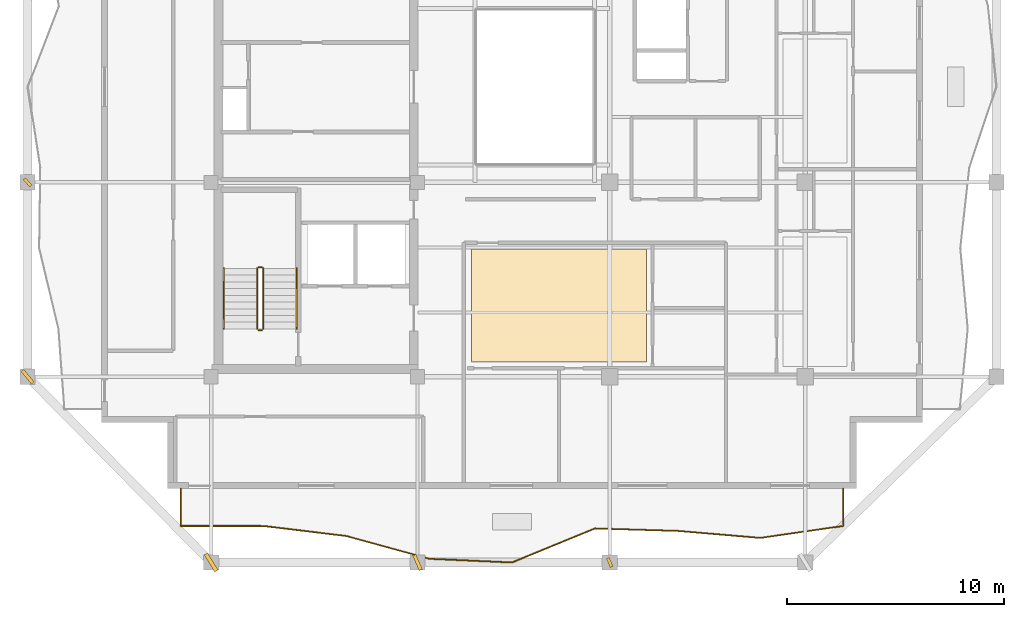
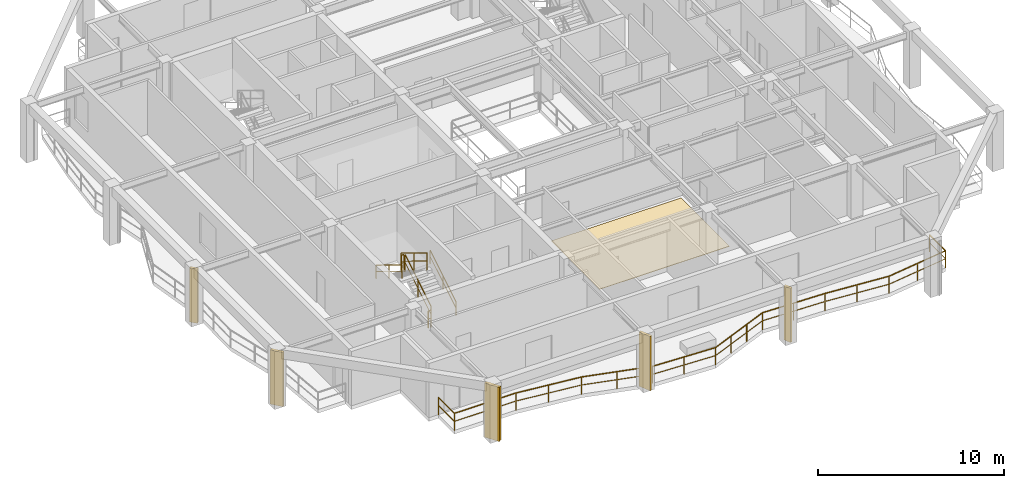
# One storey, part 7 of 10: 7 railings, 5 shading devices, 1 covering.
"""IFC4 building model written with IfcOpenShell, lengths in metres."""

import ifcopenshell
import ifcopenshell.guid

model = None  # the IFC model being written
_history = None  # IfcOwnerHistory: only IFC2X3 demands one
_inside = {}  # id of a spatial element -> (the spatial element, [elements in it])
_under = {}  # id of a project, library or spatial element -> (it, [spatial elements below it])
_declared = {}  # id of a project -> (the project, [libraries it declares])
_typed = {}  # id of a type object -> (the type object, [elements of that type])
_made_of = {}  # id of a material, layer set ... -> (it, [elements and type objects made of it])


def new_model(schema):
    """Start an empty IFC model of exactly this schema.

    Asked for "IFC4X3", IfcOpenShell would pick the latest addendum, in which some entities
    have other attributes; the version numbers below select the first issue.
    IFC2X3 requires an IfcOwnerHistory on every rooted entity: one is made here for all.
    """
    global model, _history
    if schema == "IFC4X3":
        model = ifcopenshell.file(schema_version=(4, 3, 0, 0))
    else:
        model = ifcopenshell.file(schema=schema)
    _inside.clear()
    _under.clear()
    _declared.clear()
    _typed.clear()
    _made_of.clear()
    _history = None
    if model.schema == "IFC2X3":
        org = make("IfcOrganization", Name="unknown")
        user = make(
            "IfcPersonAndOrganization",
            ThePerson=make("IfcPerson", FamilyName="unknown"),
            TheOrganization=org,
        )
        app = make(
            "IfcApplication",
            ApplicationDeveloper=org,
            Version="unknown",
            ApplicationFullName="unknown",
            ApplicationIdentifier="unknown",
        )
        _history = make(
            "IfcOwnerHistory",
            OwningUser=user,
            OwningApplication=app,
            ChangeAction="ADDED",
            CreationDate=0,
        )
    return model


def make(cls, **values):
    """One entity of the class cls with the attributes given. An attribute that is None is left unset."""
    return model.create_entity(
        cls, **{name: value for name, value in values.items() if value is not None}
    )


def rooted(cls, **values):
    """An entity with a GlobalId (a new one), such as an element, a storey or a relation."""
    return make(cls, GlobalId=ifcopenshell.guid.new(), OwnerHistory=_history, **values)


def si_unit(unit_type, name, prefix=None):
    """IfcSIUnit, for example si_unit("LENGTHUNIT", "METRE", prefix="MILLI")."""
    return make("IfcSIUnit", UnitType=unit_type, Prefix=prefix, Name=name)


def assignment(units):
    """IfcUnitAssignment: the units of a project."""
    return None if units is None else make("IfcUnitAssignment", Units=units)


def point(xyz):
    """IfcCartesianPoint."""
    return None if xyz is None else make("IfcCartesianPoint", Coordinates=xyz)


def direction(xyz):
    """IfcDirection."""
    return None if xyz is None else make("IfcDirection", DirectionRatios=xyz)


def frame(location, z_axis=None, x_axis=None):
    """IfcAxis2Placement3D, a coordinate frame: its origin and axes. An axis left out is left unset."""
    return make(
        "IfcAxis2Placement3D",
        Location=point(location),
        Axis=direction(z_axis),
        RefDirection=direction(x_axis),
    )


def frame_2d(location, x_axis=None):
    """IfcAxis2Placement2D, a coordinate frame in the plane: its origin and x axis."""
    return make(
        "IfcAxis2Placement2D", Location=point(location), RefDirection=direction(x_axis)
    )


def origin():
    """The frame at (0, 0, 0) with its axes left unset."""
    return frame((0.0, 0.0, 0.0))


def origin_2d():
    """The frame at (0, 0) in the plane with its x axis left unset."""
    return frame_2d((0.0, 0.0))


def place(relative_to, where):
    """IfcLocalPlacement: puts the frame where relative to a parent placement (None: the world)."""
    return make(
        "IfcLocalPlacement", PlacementRelTo=relative_to, RelativePlacement=where
    )


def context(
    kind, dimensions, precision=None, world=None, true_north=None, identifier=None
):
    """IfcGeometricRepresentationContext, for example the 3D "Model" context."""
    return make(
        "IfcGeometricRepresentationContext",
        ContextIdentifier=identifier,
        ContextType=kind,
        CoordinateSpaceDimension=dimensions,
        Precision=precision,
        WorldCoordinateSystem=world,
        TrueNorth=true_north,
    )


def subcontext(parent, identifier, kind, view, scale=None):
    """IfcGeometricRepresentationSubContext, for example "Body" below "Model"."""
    return make(
        "IfcGeometricRepresentationSubContext",
        ContextIdentifier=identifier,
        ContextType=kind,
        ParentContext=parent,
        TargetScale=scale,
        TargetView=view,
    )


def project(units=None, contexts=None):
    """IfcProject with its units and contexts."""
    return rooted(
        "IfcProject",
        Name="project",
        RepresentationContexts=contexts,
        UnitsInContext=assignment(units),
    )


def spatial(cls, under=None, at=None, **own):
    """A site, building, storey or space (cls), placed at a placement, below another one or the project."""
    s = rooted(cls, ObjectPlacement=at, **own)
    if under is not None:
        _under.setdefault(under.id(), (under, []))[1].append(s)
    return s


def polyline(points):
    """IfcPolyline through the points."""
    return make("IfcPolyline", Points=[point(p) for p in points])


def profile(cls, at=None, kind="AREA", **sizes):
    """A parametric profile (cls). Its sizes go by their IFC names, for example OverallWidth=200.0."""
    return make(cls, ProfileType=kind, Position=at, **sizes)


def rectangle(**sizes):
    """IfcRectangleProfileDef."""
    return profile("IfcRectangleProfileDef", **sizes)


def outline(outer, holes=None, kind="AREA"):
    """IfcArbitraryClosedProfileDef: a profile drawn as a closed curve; with holes, ...WithVoids."""
    if holes is None:
        return make("IfcArbitraryClosedProfileDef", ProfileType=kind, OuterCurve=outer)
    return make(
        "IfcArbitraryProfileDefWithVoids",
        ProfileType=kind,
        OuterCurve=outer,
        InnerCurves=holes,
    )


def extrude(swept, where, along, depth):
    """IfcExtrudedAreaSolid: the profile swept, set in the frame where, extruded along a direction by depth."""
    return make(
        "IfcExtrudedAreaSolid",
        SweptArea=swept,
        Position=where,
        ExtrudedDirection=direction(along),
        Depth=depth,
    )


def shape(context_of_items, identifier, shape_type, items):
    """IfcShapeRepresentation: the items that make up one representation, for example the "Body"."""
    return make(
        "IfcShapeRepresentation",
        ContextOfItems=context_of_items,
        RepresentationIdentifier=identifier,
        RepresentationType=shape_type,
        Items=items,
    )


def material(Name=None, Category=None):
    """IfcMaterial."""
    return make("IfcMaterial", Name=Name, Category=Category)


def layer(
    of_material, thickness, ventilated=None, Name=None, Category=None, Priority=None
):
    """IfcMaterialLayer: one layer of a wall or slab, of a material (None: an air gap)."""
    return make(
        "IfcMaterialLayer",
        Material=of_material,
        LayerThickness=thickness,
        IsVentilated=ventilated,
        Name=Name,
        Category=Category,
        Priority=Priority,
    )


def layer_set(layers, Name=None):
    """IfcMaterialLayerSet."""
    return make("IfcMaterialLayerSet", MaterialLayers=layers, LayerSetName=Name)


def made_of(thing, what):
    """Note that an element or type object is made of a material, layer set ...; save() writes the relation."""
    if what is not None:
        _made_of.setdefault(what.id(), (what, []))[1].append(thing)
    return thing


def type_object(cls, material=None, **own):
    """A type object (cls), such as IfcWallType, which elements share."""
    return made_of(rooted(cls, **own), material)


def element(
    cls,
    number,
    at=None,
    inside=None,
    cuts=None,
    type_object=None,
    material=None,
    context=None,
    identifier="Body",
    shape_type=None,
    held_by="IfcProductDefinitionShape",
    body=None,
    shapes=None,
    **own,
):
    """One element of the class cls, such as IfcWall. Its Tag is "e" and its number.

    at: its placement. inside: the storey or other place that contains it. cuts: it is an
    opening in that element (IfcRelVoidsElement). A single representation is given by context,
    identifier, shape_type and body (its items); several are given by shapes. held_by: the class
    of the entity that holds the representations. save() writes the other relations.
    """
    e = rooted(cls, Tag="e%d" % number, ObjectPlacement=at, **own)
    if body is not None:
        shapes = [shape(context, identifier, shape_type, body)]
    if shapes is not None:
        e.Representation = make(held_by, Representations=shapes)
    if inside is not None:
        _inside.setdefault(inside.id(), (inside, []))[1].append(e)
    if cuts is not None:
        rooted(
            "IfcRelVoidsElement", RelatingBuildingElement=cuts, RelatedOpeningElement=e
        )
    if type_object is not None:
        _typed.setdefault(type_object.id(), (type_object, []))[1].append(e)
    return made_of(e, material)


def aggregate(whole, parts):
    """IfcRelAggregates: a whole, such as a stair, and the parts it consists of."""
    return rooted("IfcRelAggregates", RelatingObject=whole, RelatedObjects=parts)


def save(model, path):
    """Write the relations noted so far, then the file.

    IfcRelAggregates (storeys below a building ...), IfcRelContainedInSpatialStructure (elements
    in a storey), IfcRelDefinesByType, IfcRelAssociatesMaterial and IfcRelDeclares: one each for
    every whole, place, type object, material and project.
    """
    for whole, parts in _under.values():
        aggregate(whole, parts)
    for where, things in _inside.values():
        rooted(
            "IfcRelContainedInSpatialStructure",
            RelatedElements=things,
            RelatingStructure=where,
        )
    for kind, things in _typed.values():
        rooted("IfcRelDefinesByType", RelatedObjects=things, RelatingType=kind)
    for what, things in _made_of.values():
        rooted("IfcRelAssociatesMaterial", RelatedObjects=things, RelatingMaterial=what)
    for by, libraries in _declared.values():
        rooted("IfcRelDeclares", RelatingContext=by, RelatedDefinitions=libraries)
    model.write(path)


model = new_model("IFC4")

# Units and contexts
model_context = context("Model", 3, precision=1e-05, world=origin(), true_north=direction((0.0, 1.0)))
body_context = subcontext(model_context, "Body", "Model", "MODEL_VIEW")
ifc_project = project(units=[si_unit("LENGTHUNIT", "METRE"), si_unit("AREAUNIT", "SQUARE_METRE"), si_unit("VOLUMEUNIT", "CUBIC_METRE"), si_unit("PLANEANGLEUNIT", "RADIAN"), si_unit("MASSUNIT", "GRAM", prefix="KILO")], contexts=[model_context])

# Site, building, storey
site_placement = place(None, origin())
site = spatial("IfcSite", under=ifc_project, at=site_placement, CompositionType="ELEMENT")
building_placement = place(site_placement, origin())
building = spatial("IfcBuilding", under=site, at=building_placement, Name="Kundavana Baori Tower", CompositionType="ELEMENT")
storey_placement = place(building_placement, frame((0.0, 0.0, 316.300048828125)))
storey = spatial("IfcBuildingStorey", under=building, at=storey_placement, Name="L78", CompositionType="ELEMENT", Elevation=316.300048828125)

# Covering
ifc_material_1 = material(Name="Honed Kota Stone and Terrazzo Flooring", Category="masonry")
ifc_layer = layer(ifc_material_1, 0.030029296875, Name="COV-INT-FLR")
ifc_layer_set = layer_set([ifc_layer], Name="Honed Kota Stone and Terrazzo Flooring")
covering_type = type_object("IfcCoveringType", Name="COV-INT-FLR", PredefinedType="FLOORING", material=ifc_layer_set)
covering_placement = place(storey_placement, origin())
element("IfcCovering", 1, at=covering_placement, inside=storey, type_object=covering_type, Name="L78 Room Finished Stone Flooring 1", PredefinedType="FLOORING", context=body_context, shape_type="SweptSolid", body=[
    extrude(outline(polyline([(27.43994140625, 15.919921875), (35.489990234375, 15.919921875), (35.489990234375, 21.139892578125), (27.43994140625, 21.139892578125), (27.43994140625, 15.919921875)])), origin(), (0.0, 0.0, 1.0), 0.030029296875),
])

# Railings
ifc_material_2 = material(Name="Architectural Patinated Bronze Metalwork")
railing_type_1 = type_object("IfcRailingType", Name="RL-BAL-1150", PredefinedType="BALUSTRADE", material=ifc_material_2)
railing_1_placement = place(storey_placement, frame((44.550048828125, 10.10009765625, 0.0)))
element("IfcRailing", 2, at=railing_1_placement, inside=storey, type_object=railing_type_1, Name="L78 Loggia Balcony Balustrade S", PredefinedType="BALUSTRADE", context=body_context, shape_type="SweptSolid", body=[
    extrude(rectangle(XDim=0.048095703125, YDim=0.048095703125, at=origin_2d()), frame((0.0, 0.0, 1.1259765625), z_axis=(0.0, -1.0, 0.0), x_axis=(1.0, 0.0, 0.0)), (0.0, 0.0, 1.0), 1.72021484375),
    extrude(rectangle(XDim=0.03125, YDim=0.03125, at=origin_2d()), frame((0.0, 0.0, 0.597900390625), z_axis=(0.0, -1.0, 0.0), x_axis=(1.0, 0.0, 0.0)), (0.0, 0.0, 1.0), 1.72021484375),
    extrude(rectangle(XDim=0.048095703125, YDim=0.048095703125, at=origin_2d()), frame((0.0, -1.72021484375, 1.1259765625), z_axis=(-0.989682878642, -0.143275258587, 0.0), x_axis=(0.143275258587, -0.989682878642, 0.0)), (0.0, 0.0, 1.0), 3.852783203125),
    extrude(rectangle(XDim=0.03125, YDim=0.03125, at=origin_2d()), frame((0.0, -1.72021484375, 0.597900390625), z_axis=(-0.989682878642, -0.143275258587, 0.0), x_axis=(0.143275258587, -0.989682878642, 0.0)), (0.0, 0.0, 1.0), 3.852783203125),
    extrude(rectangle(XDim=0.048095703125, YDim=0.048095703125, at=origin_2d()), frame((-3.81298828125, -2.272216796875, 1.1259765625), z_axis=(-0.996429487933, 0.0844291157, 0.0), x_axis=(-0.0844291157, -0.996429487933, 0.0)), (0.0, 0.0, 1.0), 3.82568359375),
    extrude(rectangle(XDim=0.03125, YDim=0.03125, at=origin_2d()), frame((-3.81298828125, -2.272216796875, 0.597900390625), z_axis=(-0.996429487933, 0.0844291157, 0.0), x_axis=(-0.0844291157, -0.996429487933, 0.0)), (0.0, 0.0, 1.0), 3.82568359375),
    extrude(rectangle(XDim=0.048095703125, YDim=0.048095703125, at=origin_2d()), frame((-7.625, -1.94921875, 1.1259765625), z_axis=(-0.999553252817, 0.029888037461, 0.0), x_axis=(-0.029888037461, -0.999553252817, 0.0)), (0.0, 0.0, 1.0), 3.814697265625),
    extrude(rectangle(XDim=0.03125, YDim=0.03125, at=origin_2d()), frame((-7.625, -1.94921875, 0.597900390625), z_axis=(-0.999553252817, 0.029888037461, 0.0), x_axis=(-0.029888037461, -0.999553252817, 0.0)), (0.0, 0.0, 1.0), 3.814697265625),
    extrude(rectangle(XDim=0.048095703125, YDim=0.048095703125, at=origin_2d()), frame((-11.43798828125, -1.835205078125, 1.1259765625), z_axis=(-0.925080039685, -0.379772195106, 0.0), x_axis=(0.379772195106, -0.925080039685, 0.0)), (0.0, 0.0, 1.0), 4.120849609375),
    extrude(rectangle(XDim=0.03125, YDim=0.03125, at=origin_2d()), frame((-11.43798828125, -1.835205078125, 0.597900390625), z_axis=(-0.925080039685, -0.379772195106, 0.0), x_axis=(0.379772195106, -0.925080039685, 0.0)), (0.0, 0.0, 1.0), 4.120849609375),
    extrude(rectangle(XDim=0.048095703125, YDim=0.048095703125, at=origin_2d()), frame((-15.25, -3.400146484375, 1.1259765625), z_axis=(-0.999005656153, 0.04458361777, 0.0), x_axis=(-0.04458361777, -0.999005656153, 0.0)), (0.0, 0.0, 1.0), 3.81689453125),
    extrude(rectangle(XDim=0.03125, YDim=0.03125, at=origin_2d()), frame((-15.25, -3.400146484375, 0.597900390625), z_axis=(-0.999005656153, 0.04458361777, 0.0), x_axis=(-0.04458361777, -0.999005656153, 0.0)), (0.0, 0.0, 1.0), 3.81689453125),
    extrude(rectangle(XDim=0.048095703125, YDim=0.048095703125, at=origin_2d()), frame((-19.06298828125, -3.22998046875, 1.1259765625), z_axis=(-0.964360763805, 0.264590848734, 0.0), x_axis=(-0.264590848734, -0.964360763805, 0.0)), (0.0, 0.0, 1.0), 3.952880859375),
    extrude(rectangle(XDim=0.03125, YDim=0.03125, at=origin_2d()), frame((-19.06298828125, -3.22998046875, 0.597900390625), z_axis=(-0.964360763805, 0.264590848734, 0.0), x_axis=(-0.264590848734, -0.964360763805, 0.0)), (0.0, 0.0, 1.0), 3.952880859375),
    extrude(rectangle(XDim=0.048095703125, YDim=0.048095703125, at=origin_2d()), frame((-22.875, -2.18408203125, 1.1259765625), z_axis=(-0.992738384386, 0.120293392036, 0.0), x_axis=(-0.120293392036, -0.992738384386, 0.0)), (0.0, 0.0, 1.0), 3.83984375),
    extrude(rectangle(XDim=0.03125, YDim=0.03125, at=origin_2d()), frame((-22.875, -2.18408203125, 0.597900390625), z_axis=(-0.992738384386, 0.120293392036, 0.0), x_axis=(-0.120293392036, -0.992738384386, 0.0)), (0.0, 0.0, 1.0), 3.83984375),
    extrude(rectangle(XDim=0.048095703125, YDim=0.048095703125, at=origin_2d()), frame((-26.68701171875, -1.72216796875, 1.1259765625), z_axis=(-0.999999868811, 0.000512229412, 0.0), x_axis=(-0.000512229412, -0.999999868811, 0.0)), (0.0, 0.0, 1.0), 3.81298828125),
    extrude(rectangle(XDim=0.03125, YDim=0.03125, at=origin_2d()), frame((-26.68701171875, -1.72216796875, 0.597900390625), z_axis=(-0.999999868811, 0.000512229412, 0.0), x_axis=(-0.000512229412, -0.999999868811, 0.0)), (0.0, 0.0, 1.0), 3.81298828125),
    extrude(rectangle(XDim=0.048095703125, YDim=0.048095703125, at=origin_2d()), frame((-30.5, -1.72021484375, 1.1259765625), z_axis=(0.0, 1.0, 0.0), x_axis=(-1.0, 0.0, 0.0)), (0.0, 0.0, 1.0), 1.72021484375),
    extrude(rectangle(XDim=0.03125, YDim=0.03125, at=origin_2d()), frame((-30.5, -1.72021484375, 0.597900390625), z_axis=(0.0, 1.0, 0.0), x_axis=(-1.0, 0.0, 0.0)), (0.0, 0.0, 1.0), 1.72021484375),
    extrude(rectangle(XDim=0.0419921875, YDim=0.0419921875, at=origin_2d()), origin(), (0.0, 0.0, 1.0), 1.101806640625),
    extrude(rectangle(XDim=0.0419921875, YDim=0.0419921875, at=origin_2d()), frame((0.0, -1.72021484375, 0.0)), (0.0, 0.0, 1.0), 1.101806640625),
    extrude(rectangle(XDim=0.0419921875, YDim=0.0419921875, at=origin_2d()), frame((-1.906494140625, -1.99609375, 0.0)), (0.0, 0.0, 1.0), 1.101806640625),
    extrude(rectangle(XDim=0.0419921875, YDim=0.0419921875, at=origin_2d()), frame((-3.81298828125, -2.272216796875, 0.0)), (0.0, 0.0, 1.0), 1.101806640625),
    extrude(rectangle(XDim=0.0419921875, YDim=0.0419921875, at=origin_2d()), frame((-5.718994140625, -2.11083984375, 0.0)), (0.0, 0.0, 1.0), 1.101806640625),
    extrude(rectangle(XDim=0.0419921875, YDim=0.0419921875, at=origin_2d()), frame((-7.625, -1.94921875, 0.0)), (0.0, 0.0, 1.0), 1.101806640625),
    extrude(rectangle(XDim=0.0419921875, YDim=0.0419921875, at=origin_2d()), frame((-9.531494140625, -1.89208984375, 0.0)), (0.0, 0.0, 1.0), 1.101806640625),
    extrude(rectangle(XDim=0.0419921875, YDim=0.0419921875, at=origin_2d()), frame((-11.43798828125, -1.835205078125, 0.0)), (0.0, 0.0, 1.0), 1.101806640625),
    extrude(rectangle(XDim=0.0419921875, YDim=0.0419921875, at=origin_2d()), frame((-12.708740234375, -2.35693359375, 0.0)), (0.0, 0.0, 1.0), 1.101806640625),
    extrude(rectangle(XDim=0.0419921875, YDim=0.0419921875, at=origin_2d()), frame((-13.979248046875, -2.87841796875, 0.0)), (0.0, 0.0, 1.0), 1.101806640625),
    extrude(rectangle(XDim=0.0419921875, YDim=0.0419921875, at=origin_2d()), frame((-15.25, -3.400146484375, 0.0)), (0.0, 0.0, 1.0), 1.101806640625),
    extrude(rectangle(XDim=0.0419921875, YDim=0.0419921875, at=origin_2d()), frame((-17.156494140625, -3.31494140625, 0.0)), (0.0, 0.0, 1.0), 1.101806640625),
    extrude(rectangle(XDim=0.0419921875, YDim=0.0419921875, at=origin_2d()), frame((-19.06298828125, -3.22998046875, 0.0)), (0.0, 0.0, 1.0), 1.101806640625),
    extrude(rectangle(XDim=0.0419921875, YDim=0.0419921875, at=origin_2d()), frame((-20.968994140625, -2.70703125, 0.0)), (0.0, 0.0, 1.0), 1.101806640625),
    extrude(rectangle(XDim=0.0419921875, YDim=0.0419921875, at=origin_2d()), frame((-22.875, -2.18408203125, 0.0)), (0.0, 0.0, 1.0), 1.101806640625),
    extrude(rectangle(XDim=0.0419921875, YDim=0.0419921875, at=origin_2d()), frame((-24.781005859375, -1.953125, 0.0)), (0.0, 0.0, 1.0), 1.101806640625),
    extrude(rectangle(XDim=0.0419921875, YDim=0.0419921875, at=origin_2d()), frame((-26.68701171875, -1.72216796875, 0.0)), (0.0, 0.0, 1.0), 1.101806640625),
    extrude(rectangle(XDim=0.0419921875, YDim=0.0419921875, at=origin_2d()), frame((-28.593505859375, -1.72119140625, 0.0)), (0.0, 0.0, 1.0), 1.101806640625),
    extrude(rectangle(XDim=0.0419921875, YDim=0.0419921875, at=origin_2d()), frame((-30.5, -1.72021484375, 0.0)), (0.0, 0.0, 1.0), 1.101806640625),
    extrude(rectangle(XDim=0.0419921875, YDim=0.0419921875, at=origin_2d()), frame((-30.5, 0.0, 0.0)), (0.0, 0.0, 1.0), 1.101806640625),
])
ifc_material_3 = material(Name="Architectural Patinated Bronze Metalwork")
railing_type_2 = type_object("IfcRailingType", Name="RL-GRD-1150", PredefinedType="GUARDRAIL", material=ifc_material_3)
railing_2_placement = place(storey_placement, frame((17.840087890625, 17.449951171875, 0.18994140625)))
element("IfcRailing", 3, at=railing_2_placement, inside=storey, type_object=railing_type_2, Name="L78 ST1 stair guard 1", PredefinedType="GUARDRAIL", context=body_context, shape_type="SweptSolid", body=[
    extrude(rectangle(XDim=0.048095703125, YDim=0.048095703125, at=origin_2d()), frame((0.0, 0.0, 1.1259765625), z_axis=(0.0, 0.852609830418, 0.522548061975), x_axis=(-1.0, 0.0, 0.0)), (0.0, 0.0, 1.0), 3.2724609375),
    extrude(rectangle(XDim=0.03125, YDim=0.03125, at=origin_2d()), frame((0.0, 0.0, 0.597900390625), z_axis=(0.0, 0.852609830418, 0.522548061975), x_axis=(-1.0, 0.0, 0.0)), (0.0, 0.0, 1.0), 3.2724609375),
    extrude(rectangle(XDim=0.0419921875, YDim=0.0419921875, at=origin_2d()), origin(), (0.0, 0.0, 1.0), 1.101806640625),
    extrude(rectangle(XDim=0.0419921875, YDim=0.0419921875, at=origin_2d()), frame((0.0, 1.39501953125, 0.85498046875)), (0.0, 0.0, 1.0), 1.101806640625),
    extrude(rectangle(XDim=0.0419921875, YDim=0.0419921875, at=origin_2d()), frame((0.0, 2.7900390625, 1.7099609375)), (0.0, 0.0, 1.0), 1.101806640625),
])
railing_3_placement = place(storey_placement, frame((17.7900390625, 20.2900390625, 1.89990234375)))
element("IfcRailing", 4, at=railing_3_placement, inside=storey, type_object=railing_type_2, Name="L78 ST1 stair guard 2", PredefinedType="GUARDRAIL", context=body_context, shape_type="SweptSolid", body=[
    extrude(rectangle(XDim=0.048095703125, YDim=0.048095703125, at=origin_2d()), frame((0.0, 0.0, 1.1259765625), z_axis=(-1.0, 0.0, 0.0), x_axis=(0.0, -1.0, 0.0)), (0.0, 0.0, 1.0), 0.16015625),
    extrude(rectangle(XDim=0.03125, YDim=0.03125, at=origin_2d()), frame((0.0, 0.0, 0.597900390625), z_axis=(-1.0, 0.0, 0.0), x_axis=(0.0, -1.0, 0.0)), (0.0, 0.0, 1.0), 0.16015625),
    extrude(rectangle(XDim=0.0419921875, YDim=0.0419921875, at=origin_2d()), origin(), (0.0, 0.0, 1.0), 1.101806640625),
    extrude(rectangle(XDim=0.0419921875, YDim=0.0419921875, at=origin_2d()), frame((-0.16015625, 0.0, 0.0)), (0.0, 0.0, 1.0), 1.101806640625),
])
railing_4_placement = place(storey_placement, frame((17.580078125, 20.239990234375, 2.08984375)))
element("IfcRailing", 5, at=railing_4_placement, inside=storey, type_object=railing_type_2, Name="L78 ST1 stair guard 3", PredefinedType="GUARDRAIL", context=body_context, shape_type="SweptSolid", body=[
    extrude(rectangle(XDim=0.048095703125, YDim=0.048095703125, at=origin_2d()), frame((0.0, 0.0, 1.1259765625), z_axis=(0.0, -0.852576590321, 0.522602293945), x_axis=(1.0, 0.0, 0.0)), (0.0, 0.0, 1.0), 3.2724609375),
    extrude(rectangle(XDim=0.03125, YDim=0.03125, at=origin_2d()), frame((0.0, 0.0, 0.597900390625), z_axis=(0.0, -0.852576590321, 0.522602293945), x_axis=(1.0, 0.0, 0.0)), (0.0, 0.0, 1.0), 3.2724609375),
    extrude(rectangle(XDim=0.0419921875, YDim=0.0419921875, at=origin_2d()), origin(), (0.0, 0.0, 1.0), 1.101806640625),
    extrude(rectangle(XDim=0.0419921875, YDim=0.0419921875, at=origin_2d()), frame((0.0, -1.39501953125, 0.85498046875)), (0.0, 0.0, 1.0), 1.101806640625),
    extrude(rectangle(XDim=0.0419921875, YDim=0.0419921875, at=origin_2d()), frame((0.0, -2.7900390625, 1.710205078125)), (0.0, 0.0, 1.0), 1.101806640625),
])
railing_5_placement = place(storey_placement, frame((17.7900390625, 17.39990234375, 0.0)))
element("IfcRailing", 6, at=railing_5_placement, inside=storey, type_object=railing_type_2, Name="L78 ST1 stair guard 4", PredefinedType="GUARDRAIL", context=body_context, shape_type="SweptSolid", body=[
    extrude(rectangle(XDim=0.048095703125, YDim=0.048095703125, at=origin_2d()), frame((0.0, 0.0, 1.1259765625), z_axis=(-1.0, 0.0, 0.0), x_axis=(0.0, -1.0, 0.0)), (0.0, 0.0, 1.0), 0.16015625),
    extrude(rectangle(XDim=0.03125, YDim=0.03125, at=origin_2d()), frame((0.0, 0.0, 0.597900390625), z_axis=(-1.0, 0.0, 0.0), x_axis=(0.0, -1.0, 0.0)), (0.0, 0.0, 1.0), 0.16015625),
    extrude(rectangle(XDim=0.0419921875, YDim=0.0419921875, at=origin_2d()), origin(), (0.0, 0.0, 1.0), 1.101806640625),
    extrude(rectangle(XDim=0.0419921875, YDim=0.0419921875, at=origin_2d()), frame((-0.16015625, 0.0, 0.0)), (0.0, 0.0, 1.0), 1.101806640625),
])
ifc_material_4 = material(Name="Architectural Patinated Bronze Metalwork")
railing_type_3 = type_object("IfcRailingType", Name="RL-HND-920", PredefinedType="HANDRAIL", material=ifc_material_4)
railing_6_placement = place(storey_placement, frame((19.389892578125, 17.449951171875, 0.18994140625)))
element("IfcRailing", 7, at=railing_6_placement, inside=storey, type_object=railing_type_3, Name="L78 ST1 stair handrail 1", PredefinedType="HANDRAIL", context=body_context, shape_type="SweptSolid", body=[
    extrude(rectangle(XDim=0.048095703125, YDim=0.048095703125, at=origin_2d()), frame((0.0, 0.0, 0.8759765625), z_axis=(0.0, 0.852609830418, 0.522548061975), x_axis=(-1.0, 0.0, 0.0)), (0.0, 0.0, 1.0), 3.2724609375),
    extrude(rectangle(XDim=0.03125, YDim=0.03125, at=origin_2d()), frame((0.0, 0.0, 0.468017578125), z_axis=(0.0, 0.852609830418, 0.522548061975), x_axis=(-1.0, 0.0, 0.0)), (0.0, 0.0, 1.0), 3.2724609375),
    extrude(rectangle(XDim=0.0419921875, YDim=0.0419921875, at=origin_2d()), origin(), (0.0, 0.0, 1.0), 0.851806640625),
    extrude(rectangle(XDim=0.0419921875, YDim=0.0419921875, at=origin_2d()), frame((0.0, 1.39501953125, 0.85498046875)), (0.0, 0.0, 1.0), 0.851806640625),
    extrude(rectangle(XDim=0.0419921875, YDim=0.0419921875, at=origin_2d()), frame((0.0, 2.7900390625, 1.7099609375)), (0.0, 0.0, 1.0), 0.851806640625),
])
railing_7_placement = place(storey_placement, frame((16.030029296875, 20.239990234375, 2.08984375)))
element("IfcRailing", 8, at=railing_7_placement, inside=storey, type_object=railing_type_3, Name="L78 ST1 stair handrail 2", PredefinedType="HANDRAIL", context=body_context, shape_type="SweptSolid", body=[
    extrude(rectangle(XDim=0.048095703125, YDim=0.048095703125, at=origin_2d()), frame((0.0, 0.0, 0.8759765625), z_axis=(0.0, -0.852576590321, 0.522602293945), x_axis=(1.0, 0.0, 0.0)), (0.0, 0.0, 1.0), 3.2724609375),
    extrude(rectangle(XDim=0.03125, YDim=0.03125, at=origin_2d()), frame((0.0, 0.0, 0.468017578125), z_axis=(0.0, -0.852576590321, 0.522602293945), x_axis=(1.0, 0.0, 0.0)), (0.0, 0.0, 1.0), 3.2724609375),
    extrude(rectangle(XDim=0.0419921875, YDim=0.0419921875, at=origin_2d()), origin(), (0.0, 0.0, 1.0), 0.851806640625),
    extrude(rectangle(XDim=0.0419921875, YDim=0.0419921875, at=origin_2d()), frame((0.0, -1.39501953125, 0.85498046875)), (0.0, 0.0, 1.0), 0.851806640625),
    extrude(rectangle(XDim=0.0419921875, YDim=0.0419921875, at=origin_2d()), frame((0.0, -2.7900390625, 1.710205078125)), (0.0, 0.0, 1.0), 0.851806640625),
])

# Shading devices
ifc_material_5 = material(Name="Red-Buff Dholpur Sandstone Cladding on Concrete C40/50", Category="masonry")
shading_device_type_1 = type_object("IfcShadingDeviceType", Name="SHD-FIN-750", PredefinedType="JALOUSIE", material=ifc_material_5)
for number, where, z_axis, x_axis, name in (
    (9, (24.949951171875, 6.699951171875, 0.0), (0.0, 0.0, 1.0), (0.917407699357, 0.397948631308, 0.0), "L78 Sweeping Dholpur Sandstone Facade Fin 2"),
    (10, (7.0, 15.25, 0.0), (0.0, 0.0, 1.0), (0.769064991547, 0.639170586601, 0.0), "L78 Sweeping Dholpur Sandstone Facade Fin 5"),
):
    element("IfcShadingDevice", number, at=place(storey_placement, frame(where, z_axis=z_axis, x_axis=x_axis)), inside=storey, type_object=shading_device_type_1, Name=name, PredefinedType="JALOUSIE", context=body_context, shape_type="SweptSolid", body=[
        extrude(rectangle(XDim=0.159912109375, YDim=0.75, at=origin_2d()), origin(), (0.0, 0.0, 1.0), 3.56005859375),
    ])
ifc_material_6 = material(Name="Red-Buff Dholpur Sandstone Cladding on Concrete C40/50", Category="masonry")
shading_device_type_2 = type_object("IfcShadingDeviceType", Name="SHD-FIN-920", PredefinedType="JALOUSIE", material=ifc_material_6)
shading_device_placement = place(storey_placement, frame((15.449951171875, 6.699951171875, 0.0), z_axis=(0.0, 0.0, 1.0), x_axis=(0.850444053699, 0.526065501177, 0.0)))
element("IfcShadingDevice", 11, at=shading_device_placement, inside=storey, type_object=shading_device_type_2, Name="L78 Sweeping Dholpur Sandstone Facade Fin 1", PredefinedType="JALOUSIE", context=body_context, shape_type="SweptSolid", body=[
    extrude(rectangle(XDim=0.179931640625, YDim=0.919921875, at=origin_2d()), origin(), (0.0, 0.0, 1.0), 3.56005859375),
])
ifc_material_7 = material(Name="Architectural Patinated Bronze Metalwork")
shading_device_type_3 = type_object("IfcShadingDeviceType", Name="SHD-LOUV-450", PredefinedType="SHUTTER", material=ifc_material_7)
for number, where, z_axis, x_axis, name in (
    (12, (33.800048828125, 6.699951171875, 0.0), (0.0, 0.0, 1.0), (0.920368406481, 0.391052421488, 0.0), "L78 Sweeping Dholpur Sandstone Facade Fin 3"),
    (13, (7.0, 24.199951171875, 0.0), (0.0, 0.0, 1.0), (0.748840060367, 0.662750755556, 0.0), "L78 Sweeping Dholpur Sandstone Facade Fin 6"),
):
    element("IfcShadingDevice", number, at=place(storey_placement, frame(where, z_axis=z_axis, x_axis=x_axis)), inside=storey, type_object=shading_device_type_3, Name=name, PredefinedType="SHUTTER", context=body_context, shape_type="SweptSolid", body=[
        extrude(rectangle(XDim=0.139892578125, YDim=0.449951171875, at=origin_2d()), origin(), (0.0, 0.0, 1.0), 3.56005859375),
    ])

save(model, "model.ifc")
